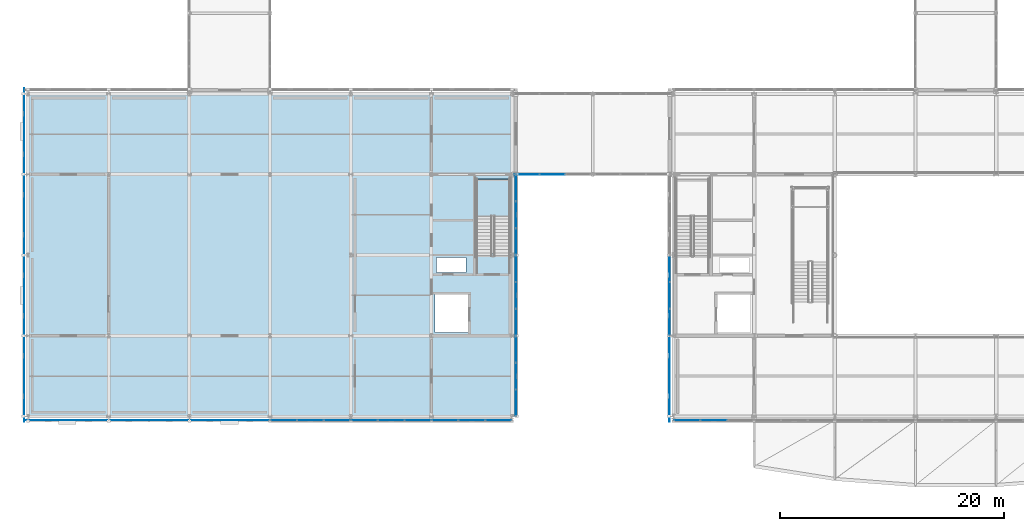
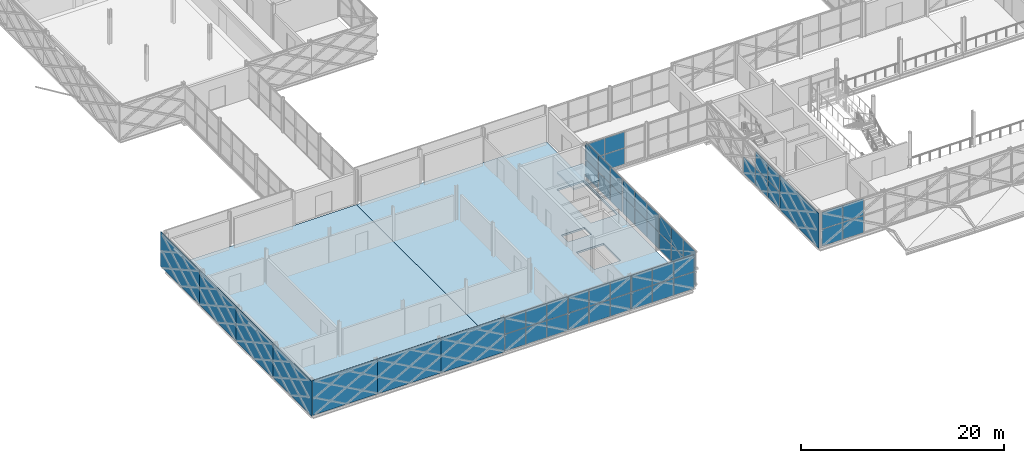
# One storey, part 86 of 146: 57 plates, 3 slabs, 10 elements without a shape of their own.
"""IFC4 building model written with IfcOpenShell, lengths in metres."""

from ifc_helpers import new_model, si_unit, direction, frame, origin, origin_2d, place, context, subcontext, project, spatial, polyline, rectangle, outline, extrude, material, layer, layer_set, type_object, element, aggregate, save


model = new_model("IFC4")

# Units and contexts
model_context = context("Model", 3, precision=1e-05, world=origin(), true_north=direction((0.0, 1.0)))
body_context = subcontext(model_context, "Body", "Model", "MODEL_VIEW")
ifc_project = project(units=[si_unit("LENGTHUNIT", "METRE"), si_unit("AREAUNIT", "SQUARE_METRE"), si_unit("VOLUMEUNIT", "CUBIC_METRE"), si_unit("PLANEANGLEUNIT", "RADIAN"), si_unit("MASSUNIT", "GRAM", prefix="KILO")], contexts=[model_context])

# Site, building, storey
site_placement = place(None, origin())
site = spatial("IfcSite", under=ifc_project, at=site_placement, CompositionType="ELEMENT")
building_placement = place(site_placement, origin())
building = spatial("IfcBuilding", under=site, at=building_placement, Name="Zlatovets Crest Museum", CompositionType="ELEMENT")
storey_placement = place(building_placement, frame((0.0, 0.0, 4.5)))
storey = spatial("IfcBuildingStorey", under=building, at=storey_placement, Name="L01", CompositionType="ELEMENT", Elevation=4.5)

# Curtain wall, plates
ifc_material_1 = material(Name="Bronze-anodised aluminium and low-E triple glass", Category="aluminium")
curtain_wall_type_1 = type_object("IfcCurtainWallType", Name="CW_CW-BR1-L01-S69", PredefinedType="NOTDEFINED", material=ifc_material_1)
curtain_wall_1_placement = place(storey_placement, origin())
curtain_wall_1 = element("IfcCurtainWall", 1, at=curtain_wall_1_placement, inside=storey, type_object=curtain_wall_type_1, Name="South Forecourt Glazed Link Bridge L01 Glazed Bridge Curtain Wall", PredefinedType="NOTDEFINED")
ifc_material_2 = material(Name="Solar-control low-E laminated triple glass", Category="glass")
ifc_layer_1 = layer(ifc_material_2, 0.030029296875)
ifc_layer_set_1 = layer_set([ifc_layer_1], Name="Solar-control low-E laminated triple glass")
plate_type_1 = type_object("IfcPlateType", Name="CWPanel_CW-BR1-L01-S69", PredefinedType="CURTAIN_PANEL", material=ifc_layer_set_1)
plate_1_placement = place(storey_placement, frame((44.514892578125, 21.60009765625, 0.06005859375), z_axis=(0.0, 0.0, 1.0), x_axis=(1.0, 0.0, 0.0)))
plate_1 = element("IfcPlate", 2, at=plate_1_placement, type_object=plate_type_1, Name="CW-BR1-L01-S69 panel 1.1", PredefinedType="CURTAIN_PANEL", context=body_context, shape_type="SweptSolid", body=[
    extrude(rectangle(XDim=2.2099609375, YDim=0.030029296875, at=origin_2d()), origin(), (0.0, 0.0, 1.0), 1.89990234375),
])
plate_2_placement = place(storey_placement, frame((44.514892578125, 21.60009765625, 2.02001953125), z_axis=(0.0, 0.0, 1.0), x_axis=(1.0, 0.0, 0.0)))
plate_2 = element("IfcPlate", 3, at=plate_2_placement, type_object=plate_type_1, Name="CW-BR1-L01-S69 panel 1.2", PredefinedType="CURTAIN_PANEL", context=body_context, shape_type="SweptSolid", body=[
    extrude(rectangle(XDim=2.2099609375, YDim=0.030029296875, at=origin_2d()), origin(), (0.0, 0.0, 1.0), 1.89990234375),
])
plate_3_placement = place(storey_placement, frame((46.800048828125, 21.60009765625, 0.06005859375), z_axis=(0.0, 0.0, 1.0), x_axis=(1.0, 0.0, 0.0)))
plate_3 = element("IfcPlate", 4, at=plate_3_placement, type_object=plate_type_1, Name="CW-BR1-L01-S69 panel 2.1", PredefinedType="CURTAIN_PANEL", context=body_context, shape_type="SweptSolid", body=[
    extrude(rectangle(XDim=2.239990234375, YDim=0.030029296875, at=origin_2d()), origin(), (0.0, 0.0, 1.0), 1.89990234375),
])
plate_4_placement = place(storey_placement, frame((46.800048828125, 21.60009765625, 2.02001953125), z_axis=(0.0, 0.0, 1.0), x_axis=(1.0, 0.0, 0.0)))
plate_4 = element("IfcPlate", 5, at=plate_4_placement, type_object=plate_type_1, Name="CW-BR1-L01-S69 panel 2.2", PredefinedType="CURTAIN_PANEL", context=body_context, shape_type="SweptSolid", body=[
    extrude(rectangle(XDim=2.239990234375, YDim=0.030029296875, at=origin_2d()), origin(), (0.0, 0.0, 1.0), 1.89990234375),
])
aggregate(curtain_wall_1, [plate_1, plate_2, plate_3, plate_4])

curtain_wall_type_2 = type_object("IfcCurtainWallType", Name="CW_CW-V2-L01-M0", PredefinedType="NOTDEFINED", material=ifc_material_1)
curtain_wall_2_placement = place(storey_placement, origin())
curtain_wall_2 = element("IfcCurtainWall", 6, at=curtain_wall_2_placement, inside=storey, type_object=curtain_wall_type_2, Name="V2 L01 Secession Foyer Clear Curtain Wall", PredefinedType="NOTDEFINED")
ifc_layer_2 = layer(ifc_material_2, 0.028076171875)
ifc_layer_set_2 = layer_set([ifc_layer_2], Name="Solar-control low-E laminated triple glass")
plate_type_2 = type_object("IfcPlateType", Name="CWPanel_CW-V2-L01-M0", PredefinedType="CURTAIN_PANEL", material=ifc_layer_set_2)
plate_5_placement = place(storey_placement, frame((58.81494140625, -0.340087890625, 0.06005859375), z_axis=(0.0, 0.0, 1.0), x_axis=(1.0, 0.0, 0.0)))
plate_5 = element("IfcPlate", 7, at=plate_5_placement, type_object=plate_type_2, Name="CW-V2-L01-M0 panel 1.1", PredefinedType="CURTAIN_PANEL", context=body_context, shape_type="SweptSolid", body=[
    extrude(rectangle(XDim=2.31005859375, YDim=0.028076171875, at=origin_2d()), origin(), (0.0, 0.0, 1.0), 2.010009765625),
])
plate_6_placement = place(storey_placement, frame((58.81494140625, -0.340087890625, 2.1298828125), z_axis=(0.0, 0.0, 1.0), x_axis=(1.0, 0.0, 0.0)))
plate_6 = element("IfcPlate", 8, at=plate_6_placement, type_object=plate_type_2, Name="CW-V2-L01-M0 panel 1.2", PredefinedType="CURTAIN_PANEL", context=body_context, shape_type="SweptSolid", body=[
    extrude(rectangle(XDim=2.31005859375, YDim=0.028076171875, at=origin_2d()), origin(), (0.0, 0.0, 1.0), 2.010009765625),
])
plate_7_placement = place(storey_placement, frame((61.199951171875, -0.340087890625, 0.06005859375), z_axis=(0.0, 0.0, 1.0), x_axis=(1.0, 0.0, 0.0)))
plate_7 = element("IfcPlate", 9, at=plate_7_placement, type_object=plate_type_2, Name="CW-V2-L01-M0 panel 2.1", PredefinedType="CURTAIN_PANEL", context=body_context, shape_type="SweptSolid", body=[
    extrude(rectangle(XDim=2.340087890625, YDim=0.028076171875, at=origin_2d()), origin(), (0.0, 0.0, 1.0), 2.010009765625),
])
plate_8_placement = place(storey_placement, frame((61.199951171875, -0.340087890625, 2.1298828125), z_axis=(0.0, 0.0, 1.0), x_axis=(1.0, 0.0, 0.0)))
plate_8 = element("IfcPlate", 10, at=plate_8_placement, type_object=plate_type_2, Name="CW-V2-L01-M0 panel 2.2", PredefinedType="CURTAIN_PANEL", context=body_context, shape_type="SweptSolid", body=[
    extrude(rectangle(XDim=2.340087890625, YDim=0.028076171875, at=origin_2d()), origin(), (0.0, 0.0, 1.0), 2.010009765625),
])
aggregate(curtain_wall_2, [plate_5, plate_6, plate_7, plate_8])

curtain_wall_3_placement = place(storey_placement, origin())
curtain_wall_3 = element("IfcCurtainWall", 11, at=curtain_wall_3_placement, inside=storey, type_object=curtain_wall_type_2, Name="V2 L01 Expressed Core Glazed Facade", PredefinedType="NOTDEFINED")
plate_9_placement = place(storey_placement, frame((57.260009765625, 13.18505859375, 0.06005859375), z_axis=(0.0, 0.0, 1.0), x_axis=(0.0, -1.0, 0.0)))
plate_9 = element("IfcPlate", 12, at=plate_9_placement, type_object=plate_type_2, Name="CW-V2-L01-M0 panel 1.1", PredefinedType="CURTAIN_PANEL", context=body_context, shape_type="SweptSolid", body=[
    extrude(rectangle(XDim=2.31005859375, YDim=0.030029296875, at=origin_2d()), origin(), (0.0, 0.0, 1.0), 2.010009765625),
])
plate_10_placement = place(storey_placement, frame((57.260009765625, 10.800048828125, 0.06005859375), z_axis=(0.0, 0.0, 1.0), x_axis=(0.0, -1.0, 0.0)))
plate_10 = element("IfcPlate", 13, at=plate_10_placement, type_object=plate_type_2, Name="CW-V2-L01-M0 panel 2.1", PredefinedType="CURTAIN_PANEL", context=body_context, shape_type="SweptSolid", body=[
    extrude(rectangle(XDim=2.340087890625, YDim=0.030029296875, at=origin_2d()), origin(), (0.0, 0.0, 1.0), 2.010009765625),
])
plate_11_placement = place(storey_placement, frame((57.260009765625, 10.800048828125, 2.1298828125), z_axis=(0.0, 0.0, 1.0), x_axis=(0.0, -1.0, 0.0)))
plate_11 = element("IfcPlate", 14, at=plate_11_placement, type_object=plate_type_2, Name="CW-V2-L01-M0 panel 2.2", PredefinedType="CURTAIN_PANEL", context=body_context, shape_type="SweptSolid", body=[
    extrude(rectangle(XDim=2.340087890625, YDim=0.030029296875, at=origin_2d()), origin(), (0.0, 0.0, 1.0), 2.010009765625),
])
plate_12_placement = place(storey_placement, frame((57.260009765625, 8.4150390625, 0.06005859375), z_axis=(0.0, 0.0, 1.0), x_axis=(0.0, -1.0, 0.0)))
plate_12 = element("IfcPlate", 15, at=plate_12_placement, type_object=plate_type_2, Name="CW-V2-L01-M0 panel 3.1", PredefinedType="CURTAIN_PANEL", context=body_context, shape_type="SweptSolid", body=[
    extrude(rectangle(XDim=2.31005859375, YDim=0.030029296875, at=origin_2d()), origin(), (0.0, 0.0, 1.0), 2.010009765625),
])
plate_13_placement = place(storey_placement, frame((57.260009765625, 8.4150390625, 2.1298828125), z_axis=(0.0, 0.0, 1.0), x_axis=(0.0, -1.0, 0.0)))
plate_13 = element("IfcPlate", 16, at=plate_13_placement, type_object=plate_type_2, Name="CW-V2-L01-M0 panel 3.2", PredefinedType="CURTAIN_PANEL", context=body_context, shape_type="SweptSolid", body=[
    extrude(rectangle(XDim=2.31005859375, YDim=0.030029296875, at=origin_2d()), origin(), (0.0, 0.0, 1.0), 2.010009765625),
])
aggregate(curtain_wall_3, [plate_9, plate_10, plate_11, plate_12, plate_13])

curtain_wall_type_3 = type_object("IfcCurtainWallType", Name="CW_CW-V3-L01-M0", PredefinedType="NOTDEFINED", material=ifc_material_1)
curtain_wall_4_placement = place(storey_placement, origin())
curtain_wall_4 = element("IfcCurtainWall", 17, at=curtain_wall_4_placement, inside=storey, type_object=curtain_wall_type_3, Name="V3 L01 Secession Foyer Clear Curtain Wall", PredefinedType="NOTDEFINED")
ifc_layer_3 = layer(ifc_material_2, 0.028076171875)
ifc_layer_set_3 = layer_set([ifc_layer_3], Name="Solar-control low-E laminated triple glass")
plate_type_3 = type_object("IfcPlateType", Name="CWPanel_CW-V3-L01-M0", PredefinedType="CURTAIN_PANEL", material=ifc_layer_set_3)
plate_14_placement = place(storey_placement, frame((30.014892578125, -0.340087890625, 0.06005859375), z_axis=(0.0, 0.0, 1.0), x_axis=(1.0, 0.0, 0.0)))
plate_14 = element("IfcPlate", 18, at=plate_14_placement, type_object=plate_type_3, Name="CW-V3-L01-M0 panel 1.1", PredefinedType="CURTAIN_PANEL", context=body_context, shape_type="SweptSolid", body=[
    extrude(rectangle(XDim=2.31005859375, YDim=0.028076171875, at=origin_2d()), origin(), (0.0, 0.0, 1.0), 2.010009765625),
])
plate_15_placement = place(storey_placement, frame((30.014892578125, -0.340087890625, 2.1298828125), z_axis=(0.0, 0.0, 1.0), x_axis=(1.0, 0.0, 0.0)))
plate_15 = element("IfcPlate", 19, at=plate_15_placement, type_object=plate_type_3, Name="CW-V3-L01-M0 panel 1.2", PredefinedType="CURTAIN_PANEL", context=body_context, shape_type="SweptSolid", body=[
    extrude(rectangle(XDim=2.31005859375, YDim=0.028076171875, at=origin_2d()), origin(), (0.0, 0.0, 1.0), 2.010009765625),
])
plate_16_placement = place(storey_placement, frame((32.39990234375, -0.340087890625, 0.06005859375), z_axis=(0.0, 0.0, 1.0), x_axis=(1.0, 0.0, 0.0)))
plate_16 = element("IfcPlate", 20, at=plate_16_placement, type_object=plate_type_3, Name="CW-V3-L01-M0 panel 2.1", PredefinedType="CURTAIN_PANEL", context=body_context, shape_type="SweptSolid", body=[
    extrude(rectangle(XDim=2.340087890625, YDim=0.028076171875, at=origin_2d()), origin(), (0.0, 0.0, 1.0), 2.010009765625),
])
plate_17_placement = place(storey_placement, frame((32.39990234375, -0.340087890625, 2.1298828125), z_axis=(0.0, 0.0, 1.0), x_axis=(1.0, 0.0, 0.0)))
plate_17 = element("IfcPlate", 21, at=plate_17_placement, type_object=plate_type_3, Name="CW-V3-L01-M0 panel 2.2", PredefinedType="CURTAIN_PANEL", context=body_context, shape_type="SweptSolid", body=[
    extrude(rectangle(XDim=2.340087890625, YDim=0.028076171875, at=origin_2d()), origin(), (0.0, 0.0, 1.0), 2.010009765625),
])
plate_18_placement = place(storey_placement, frame((34.784912109375, -0.340087890625, 0.06005859375), z_axis=(0.0, 0.0, 1.0), x_axis=(1.0, 0.0, 0.0)))
plate_18 = element("IfcPlate", 22, at=plate_18_placement, type_object=plate_type_3, Name="CW-V3-L01-M0 panel 3.1", PredefinedType="CURTAIN_PANEL", context=body_context, shape_type="SweptSolid", body=[
    extrude(rectangle(XDim=2.31005859375, YDim=0.028076171875, at=origin_2d()), origin(), (0.0, 0.0, 1.0), 2.010009765625),
])
plate_19_placement = place(storey_placement, frame((34.784912109375, -0.340087890625, 2.1298828125), z_axis=(0.0, 0.0, 1.0), x_axis=(1.0, 0.0, 0.0)))
plate_19 = element("IfcPlate", 23, at=plate_19_placement, type_object=plate_type_3, Name="CW-V3-L01-M0 panel 3.2", PredefinedType="CURTAIN_PANEL", context=body_context, shape_type="SweptSolid", body=[
    extrude(rectangle(XDim=2.31005859375, YDim=0.028076171875, at=origin_2d()), origin(), (0.0, 0.0, 1.0), 2.010009765625),
])
aggregate(curtain_wall_4, [plate_14, plate_15, plate_16, plate_17, plate_18, plate_19])

curtain_wall_5_placement = place(storey_placement, origin())
curtain_wall_5 = element("IfcCurtainWall", 24, at=curtain_wall_5_placement, inside=storey, type_object=curtain_wall_type_3, Name="V3 L01 Expressed Core Glazed Facade", PredefinedType="NOTDEFINED")
plate_20_placement = place(storey_placement, frame((43.5400390625, 15.614990234375, 0.06005859375), z_axis=(0.0, 0.0, 1.0), x_axis=(0.0, 1.0, 0.0)))
plate_20 = element("IfcPlate", 25, at=plate_20_placement, type_object=plate_type_3, Name="CW-V3-L01-M0 panel 1.1", PredefinedType="CURTAIN_PANEL", context=body_context, shape_type="SweptSolid", body=[
    extrude(rectangle(XDim=2.31005859375, YDim=0.030029296875, at=origin_2d()), origin(), (0.0, 0.0, 1.0), 2.010009765625),
])
plate_21_placement = place(storey_placement, frame((43.5400390625, 15.614990234375, 2.1298828125), z_axis=(0.0, 0.0, 1.0), x_axis=(0.0, 1.0, 0.0)))
plate_21 = element("IfcPlate", 26, at=plate_21_placement, type_object=plate_type_3, Name="CW-V3-L01-M0 panel 1.2", PredefinedType="CURTAIN_PANEL", context=body_context, shape_type="SweptSolid", body=[
    extrude(rectangle(XDim=2.31005859375, YDim=0.030029296875, at=origin_2d()), origin(), (0.0, 0.0, 1.0), 2.010009765625),
])
plate_22_placement = place(storey_placement, frame((43.5400390625, 18.0, 0.06005859375), z_axis=(0.0, 0.0, 1.0), x_axis=(0.0, 1.0, 0.0)))
plate_22 = element("IfcPlate", 27, at=plate_22_placement, type_object=plate_type_3, Name="CW-V3-L01-M0 panel 2.1", PredefinedType="CURTAIN_PANEL", context=body_context, shape_type="SweptSolid", body=[
    extrude(rectangle(XDim=2.340087890625, YDim=0.030029296875, at=origin_2d()), origin(), (0.0, 0.0, 1.0), 2.010009765625),
])
plate_23_placement = place(storey_placement, frame((43.5400390625, 18.0, 2.1298828125), z_axis=(0.0, 0.0, 1.0), x_axis=(0.0, 1.0, 0.0)))
plate_23 = element("IfcPlate", 28, at=plate_23_placement, type_object=plate_type_3, Name="CW-V3-L01-M0 panel 2.2", PredefinedType="CURTAIN_PANEL", context=body_context, shape_type="SweptSolid", body=[
    extrude(rectangle(XDim=2.340087890625, YDim=0.030029296875, at=origin_2d()), origin(), (0.0, 0.0, 1.0), 2.010009765625),
])
plate_24_placement = place(storey_placement, frame((43.5400390625, 20.385009765625, 0.06005859375), z_axis=(0.0, 0.0, 1.0), x_axis=(0.0, 1.0, 0.0)))
plate_24 = element("IfcPlate", 29, at=plate_24_placement, type_object=plate_type_3, Name="CW-V3-L01-M0 panel 3.1", PredefinedType="CURTAIN_PANEL", context=body_context, shape_type="SweptSolid", body=[
    extrude(rectangle(XDim=2.31005859375, YDim=0.030029296875, at=origin_2d()), origin(), (0.0, 0.0, 1.0), 2.010009765625),
])
plate_25_placement = place(storey_placement, frame((43.5400390625, 20.385009765625, 2.1298828125), z_axis=(0.0, 0.0, 1.0), x_axis=(0.0, 1.0, 0.0)))
plate_25 = element("IfcPlate", 30, at=plate_25_placement, type_object=plate_type_3, Name="CW-V3-L01-M0 panel 3.2", PredefinedType="CURTAIN_PANEL", context=body_context, shape_type="SweptSolid", body=[
    extrude(rectangle(XDim=2.31005859375, YDim=0.030029296875, at=origin_2d()), origin(), (0.0, 0.0, 1.0), 2.010009765625),
])
aggregate(curtain_wall_5, [plate_20, plate_21, plate_22, plate_23, plate_24, plate_25])

curtain_wall_type_4 = type_object("IfcCurtainWallType", Name="CW_CW-V3-L01-M1", PredefinedType="NOTDEFINED", material=ifc_material_1)
curtain_wall_6_placement = place(storey_placement, origin())
curtain_wall_6 = element("IfcCurtainWall", 31, at=curtain_wall_6_placement, inside=storey, type_object=curtain_wall_type_4, Name="V3 L01 Secession Foyer Clear Curtain Wall", PredefinedType="NOTDEFINED")
ifc_layer_4 = layer(ifc_material_2, 0.031982421875)
ifc_layer_set_4 = layer_set([ifc_layer_4], Name="Solar-control low-E laminated triple glass")
plate_type_4 = type_object("IfcPlateType", Name="CWPanel_CW-V3-L01-M1", PredefinedType="CURTAIN_PANEL", material=ifc_layer_set_4)
plate_26_placement = place(storey_placement, frame((37.215087890625, -0.340087890625, 0.06005859375), z_axis=(0.0, 0.0, 1.0), x_axis=(1.0, 0.0, 0.0)))
plate_26 = element("IfcPlate", 32, at=plate_26_placement, type_object=plate_type_4, Name="CW-V3-L01-M1 panel 1.1", PredefinedType="CURTAIN_PANEL", context=body_context, shape_type="SweptSolid", body=[
    extrude(rectangle(XDim=2.31005859375, YDim=0.031982421875, at=origin_2d()), origin(), (0.0, 0.0, 1.0), 2.010009765625),
])
plate_27_placement = place(storey_placement, frame((37.215087890625, -0.340087890625, 2.1298828125), z_axis=(0.0, 0.0, 1.0), x_axis=(1.0, 0.0, 0.0)))
plate_27 = element("IfcPlate", 33, at=plate_27_placement, type_object=plate_type_4, Name="CW-V3-L01-M1 panel 1.2", PredefinedType="CURTAIN_PANEL", context=body_context, shape_type="SweptSolid", body=[
    extrude(rectangle(XDim=2.31005859375, YDim=0.031982421875, at=origin_2d()), origin(), (0.0, 0.0, 1.0), 2.010009765625),
])
plate_28_placement = place(storey_placement, frame((39.60009765625, -0.340087890625, 0.06005859375), z_axis=(0.0, 0.0, 1.0), x_axis=(1.0, 0.0, 0.0)))
plate_28 = element("IfcPlate", 34, at=plate_28_placement, type_object=plate_type_4, Name="CW-V3-L01-M1 panel 2.1", PredefinedType="CURTAIN_PANEL", context=body_context, shape_type="SweptSolid", body=[
    extrude(rectangle(XDim=2.340087890625, YDim=0.031982421875, at=origin_2d()), origin(), (0.0, 0.0, 1.0), 2.010009765625),
])
plate_29_placement = place(storey_placement, frame((39.60009765625, -0.340087890625, 2.1298828125), z_axis=(0.0, 0.0, 1.0), x_axis=(1.0, 0.0, 0.0)))
plate_29 = element("IfcPlate", 35, at=plate_29_placement, type_object=plate_type_4, Name="CW-V3-L01-M1 panel 2.2", PredefinedType="CURTAIN_PANEL", context=body_context, shape_type="SweptSolid", body=[
    extrude(rectangle(XDim=2.340087890625, YDim=0.031982421875, at=origin_2d()), origin(), (0.0, 0.0, 1.0), 2.010009765625),
])
plate_30_placement = place(storey_placement, frame((41.985107421875, -0.340087890625, 0.06005859375), z_axis=(0.0, 0.0, 1.0), x_axis=(1.0, 0.0, 0.0)))
plate_30 = element("IfcPlate", 36, at=plate_30_placement, type_object=plate_type_4, Name="CW-V3-L01-M1 panel 3.1", PredefinedType="CURTAIN_PANEL", context=body_context, shape_type="SweptSolid", body=[
    extrude(rectangle(XDim=2.31005859375, YDim=0.031982421875, at=origin_2d()), origin(), (0.0, 0.0, 1.0), 2.010009765625),
])
plate_31_placement = place(storey_placement, frame((41.985107421875, -0.340087890625, 2.1298828125), z_axis=(0.0, 0.0, 1.0), x_axis=(1.0, 0.0, 0.0)))
plate_31 = element("IfcPlate", 37, at=plate_31_placement, type_object=plate_type_4, Name="CW-V3-L01-M1 panel 3.2", PredefinedType="CURTAIN_PANEL", context=body_context, shape_type="SweptSolid", body=[
    extrude(rectangle(XDim=2.31005859375, YDim=0.031982421875, at=origin_2d()), origin(), (0.0, 0.0, 1.0), 2.010009765625),
])
aggregate(curtain_wall_6, [plate_26, plate_27, plate_28, plate_29, plate_30, plate_31])

curtain_wall_type_5 = type_object("IfcCurtainWallType", Name="CW_CW-V3-L01-M2", PredefinedType="NOTDEFINED", material=ifc_material_1)
curtain_wall_7_placement = place(storey_placement, origin())
curtain_wall_7 = element("IfcCurtainWall", 38, at=curtain_wall_7_placement, inside=storey, type_object=curtain_wall_type_5, Name="V3 L01 Secession Foyer Clear Curtain Wall", PredefinedType="NOTDEFINED")
ifc_layer_5 = layer(ifc_material_2, 0.035888671875)
ifc_layer_set_5 = layer_set([ifc_layer_5], Name="Solar-control low-E laminated triple glass")
plate_type_5 = type_object("IfcPlateType", Name="CWPanel_CW-V3-L01-M2", PredefinedType="CURTAIN_PANEL", material=ifc_layer_set_5)
plate_32_placement = place(storey_placement, frame((43.5400390625, 1.215087890625, 0.06005859375), z_axis=(0.0, 0.0, 1.0), x_axis=(0.0, 1.0, 0.0)))
plate_32 = element("IfcPlate", 39, at=plate_32_placement, type_object=plate_type_5, Name="CW-V3-L01-M2 panel 1.1", PredefinedType="CURTAIN_PANEL", context=body_context, shape_type="SweptSolid", body=[
    extrude(rectangle(XDim=2.31005859375, YDim=0.035888671875, at=origin_2d()), origin(), (0.0, 0.0, 1.0), 2.010009765625),
])
plate_33_placement = place(storey_placement, frame((43.5400390625, 1.215087890625, 2.1298828125), z_axis=(0.0, 0.0, 1.0), x_axis=(0.0, 1.0, 0.0)))
plate_33 = element("IfcPlate", 40, at=plate_33_placement, type_object=plate_type_5, Name="CW-V3-L01-M2 panel 1.2", PredefinedType="CURTAIN_PANEL", context=body_context, shape_type="SweptSolid", body=[
    extrude(rectangle(XDim=2.31005859375, YDim=0.035888671875, at=origin_2d()), origin(), (0.0, 0.0, 1.0), 2.010009765625),
])
plate_34_placement = place(storey_placement, frame((43.5400390625, 3.60009765625, 0.06005859375), z_axis=(0.0, 0.0, 1.0), x_axis=(0.0, 1.0, 0.0)))
plate_34 = element("IfcPlate", 41, at=plate_34_placement, type_object=plate_type_5, Name="CW-V3-L01-M2 panel 2.1", PredefinedType="CURTAIN_PANEL", context=body_context, shape_type="SweptSolid", body=[
    extrude(rectangle(XDim=2.340087890625, YDim=0.035888671875, at=origin_2d()), origin(), (0.0, 0.0, 1.0), 2.010009765625),
])
plate_35_placement = place(storey_placement, frame((43.5400390625, 3.60009765625, 2.1298828125), z_axis=(0.0, 0.0, 1.0), x_axis=(0.0, 1.0, 0.0)))
plate_35 = element("IfcPlate", 42, at=plate_35_placement, type_object=plate_type_5, Name="CW-V3-L01-M2 panel 2.2", PredefinedType="CURTAIN_PANEL", context=body_context, shape_type="SweptSolid", body=[
    extrude(rectangle(XDim=2.340087890625, YDim=0.035888671875, at=origin_2d()), origin(), (0.0, 0.0, 1.0), 2.010009765625),
])
plate_36_placement = place(storey_placement, frame((43.5400390625, 5.985107421875, 0.06005859375), z_axis=(0.0, 0.0, 1.0), x_axis=(0.0, 1.0, 0.0)))
plate_36 = element("IfcPlate", 43, at=plate_36_placement, type_object=plate_type_5, Name="CW-V3-L01-M2 panel 3.1", PredefinedType="CURTAIN_PANEL", context=body_context, shape_type="SweptSolid", body=[
    extrude(rectangle(XDim=2.31005859375, YDim=0.035888671875, at=origin_2d()), origin(), (0.0, 0.0, 1.0), 2.010009765625),
])
plate_37_placement = place(storey_placement, frame((43.5400390625, 5.985107421875, 2.1298828125), z_axis=(0.0, 0.0, 1.0), x_axis=(0.0, 1.0, 0.0)))
plate_37 = element("IfcPlate", 44, at=plate_37_placement, type_object=plate_type_5, Name="CW-V3-L01-M2 panel 3.2", PredefinedType="CURTAIN_PANEL", context=body_context, shape_type="SweptSolid", body=[
    extrude(rectangle(XDim=2.31005859375, YDim=0.035888671875, at=origin_2d()), origin(), (0.0, 0.0, 1.0), 2.010009765625),
])
aggregate(curtain_wall_7, [plate_32, plate_33, plate_34, plate_35, plate_36, plate_37])

curtain_wall_type_6 = type_object("IfcCurtainWallType", Name="CW_CW-V3-L01-M3", PredefinedType="NOTDEFINED", material=ifc_material_1)
curtain_wall_8_placement = place(storey_placement, origin())
curtain_wall_8 = element("IfcCurtainWall", 45, at=curtain_wall_8_placement, inside=storey, type_object=curtain_wall_type_6, Name="V3 L01 Secession Foyer Clear Curtain Wall", PredefinedType="NOTDEFINED")
ifc_layer_6 = layer(ifc_material_2, 0.0400390625)
ifc_layer_set_6 = layer_set([ifc_layer_6], Name="Solar-control low-E laminated triple glass")
plate_type_6 = type_object("IfcPlateType", Name="CWPanel_CW-V3-L01-M3", PredefinedType="CURTAIN_PANEL", material=ifc_layer_set_6)
plate_38_placement = place(storey_placement, frame((22.81494140625, -0.340087890625, 0.06005859375), z_axis=(0.0, 0.0, 1.0), x_axis=(1.0, 0.0, 0.0)))
plate_38 = element("IfcPlate", 46, at=plate_38_placement, type_object=plate_type_6, Name="CW-V3-L01-M3 panel 1.1", PredefinedType="CURTAIN_PANEL", context=body_context, shape_type="SweptSolid", body=[
    extrude(rectangle(XDim=2.31005859375, YDim=0.0400390625, at=origin_2d()), origin(), (0.0, 0.0, 1.0), 2.010009765625),
])
plate_39_placement = place(storey_placement, frame((22.81494140625, -0.340087890625, 2.1298828125), z_axis=(0.0, 0.0, 1.0), x_axis=(1.0, 0.0, 0.0)))
plate_39 = element("IfcPlate", 47, at=plate_39_placement, type_object=plate_type_6, Name="CW-V3-L01-M3 panel 1.2", PredefinedType="CURTAIN_PANEL", context=body_context, shape_type="SweptSolid", body=[
    extrude(rectangle(XDim=2.31005859375, YDim=0.0400390625, at=origin_2d()), origin(), (0.0, 0.0, 1.0), 2.010009765625),
])
plate_40_placement = place(storey_placement, frame((25.199951171875, -0.340087890625, 0.06005859375), z_axis=(0.0, 0.0, 1.0), x_axis=(1.0, 0.0, 0.0)))
plate_40 = element("IfcPlate", 48, at=plate_40_placement, type_object=plate_type_6, Name="CW-V3-L01-M3 panel 2.1", PredefinedType="CURTAIN_PANEL", context=body_context, shape_type="SweptSolid", body=[
    extrude(rectangle(XDim=2.340087890625, YDim=0.0400390625, at=origin_2d()), origin(), (0.0, 0.0, 1.0), 2.010009765625),
])
plate_41_placement = place(storey_placement, frame((25.199951171875, -0.340087890625, 2.1298828125), z_axis=(0.0, 0.0, 1.0), x_axis=(1.0, 0.0, 0.0)))
plate_41 = element("IfcPlate", 49, at=plate_41_placement, type_object=plate_type_6, Name="CW-V3-L01-M3 panel 2.2", PredefinedType="CURTAIN_PANEL", context=body_context, shape_type="SweptSolid", body=[
    extrude(rectangle(XDim=2.340087890625, YDim=0.0400390625, at=origin_2d()), origin(), (0.0, 0.0, 1.0), 2.010009765625),
])
plate_42_placement = place(storey_placement, frame((27.5849609375, -0.340087890625, 0.06005859375), z_axis=(0.0, 0.0, 1.0), x_axis=(1.0, 0.0, 0.0)))
plate_42 = element("IfcPlate", 50, at=plate_42_placement, type_object=plate_type_6, Name="CW-V3-L01-M3 panel 3.1", PredefinedType="CURTAIN_PANEL", context=body_context, shape_type="SweptSolid", body=[
    extrude(rectangle(XDim=2.31005859375, YDim=0.0400390625, at=origin_2d()), origin(), (0.0, 0.0, 1.0), 2.010009765625),
])
plate_43_placement = place(storey_placement, frame((27.5849609375, -0.340087890625, 2.1298828125), z_axis=(0.0, 0.0, 1.0), x_axis=(1.0, 0.0, 0.0)))
plate_43 = element("IfcPlate", 51, at=plate_43_placement, type_object=plate_type_6, Name="CW-V3-L01-M3 panel 3.2", PredefinedType="CURTAIN_PANEL", context=body_context, shape_type="SweptSolid", body=[
    extrude(rectangle(XDim=2.31005859375, YDim=0.0400390625, at=origin_2d()), origin(), (0.0, 0.0, 1.0), 2.010009765625),
])
aggregate(curtain_wall_8, [plate_38, plate_39, plate_40, plate_41, plate_42, plate_43])

curtain_wall_9_placement = place(storey_placement, origin())
curtain_wall_9 = element("IfcCurtainWall", 52, at=curtain_wall_9_placement, inside=storey, type_object=curtain_wall_type_6, Name="V3 L01 Expressed Core Glazed Facade", PredefinedType="NOTDEFINED")
plate_44_placement = place(storey_placement, frame((43.5400390625, 8.4150390625, 0.06005859375), z_axis=(0.0, 0.0, 1.0), x_axis=(0.0, 1.0, 0.0)))
plate_44 = element("IfcPlate", 53, at=plate_44_placement, type_object=plate_type_6, Name="CW-V3-L01-M3 panel 1.1", PredefinedType="CURTAIN_PANEL", context=body_context, shape_type="SweptSolid", body=[
    extrude(rectangle(XDim=2.31005859375, YDim=0.030029296875, at=origin_2d()), origin(), (0.0, 0.0, 1.0), 2.010009765625),
])
plate_45_placement = place(storey_placement, frame((43.5400390625, 8.4150390625, 2.1298828125), z_axis=(0.0, 0.0, 1.0), x_axis=(0.0, 1.0, 0.0)))
plate_45 = element("IfcPlate", 54, at=plate_45_placement, type_object=plate_type_6, Name="CW-V3-L01-M3 panel 1.2", PredefinedType="CURTAIN_PANEL", context=body_context, shape_type="SweptSolid", body=[
    extrude(rectangle(XDim=2.31005859375, YDim=0.030029296875, at=origin_2d()), origin(), (0.0, 0.0, 1.0), 2.010009765625),
])
plate_46_placement = place(storey_placement, frame((43.5400390625, 10.800048828125, 0.06005859375), z_axis=(0.0, 0.0, 1.0), x_axis=(0.0, 1.0, 0.0)))
plate_46 = element("IfcPlate", 55, at=plate_46_placement, type_object=plate_type_6, Name="CW-V3-L01-M3 panel 2.1", PredefinedType="CURTAIN_PANEL", context=body_context, shape_type="SweptSolid", body=[
    extrude(rectangle(XDim=2.340087890625, YDim=0.030029296875, at=origin_2d()), origin(), (0.0, 0.0, 1.0), 2.010009765625),
])
plate_47_placement = place(storey_placement, frame((43.5400390625, 10.800048828125, 2.1298828125), z_axis=(0.0, 0.0, 1.0), x_axis=(0.0, 1.0, 0.0)))
plate_47 = element("IfcPlate", 56, at=plate_47_placement, type_object=plate_type_6, Name="CW-V3-L01-M3 panel 2.2", PredefinedType="CURTAIN_PANEL", context=body_context, shape_type="SweptSolid", body=[
    extrude(rectangle(XDim=2.340087890625, YDim=0.030029296875, at=origin_2d()), origin(), (0.0, 0.0, 1.0), 2.010009765625),
])
plate_48_placement = place(storey_placement, frame((43.5400390625, 13.18505859375, 0.06005859375), z_axis=(0.0, 0.0, 1.0), x_axis=(0.0, 1.0, 0.0)))
plate_48 = element("IfcPlate", 57, at=plate_48_placement, type_object=plate_type_6, Name="CW-V3-L01-M3 panel 3.1", PredefinedType="CURTAIN_PANEL", context=body_context, shape_type="SweptSolid", body=[
    extrude(rectangle(XDim=2.31005859375, YDim=0.030029296875, at=origin_2d()), origin(), (0.0, 0.0, 1.0), 2.010009765625),
])
plate_49_placement = place(storey_placement, frame((43.5400390625, 13.18505859375, 2.1298828125), z_axis=(0.0, 0.0, 1.0), x_axis=(0.0, 1.0, 0.0)))
plate_49 = element("IfcPlate", 58, at=plate_49_placement, type_object=plate_type_6, Name="CW-V3-L01-M3 panel 3.2", PredefinedType="CURTAIN_PANEL", context=body_context, shape_type="SweptSolid", body=[
    extrude(rectangle(XDim=2.31005859375, YDim=0.030029296875, at=origin_2d()), origin(), (0.0, 0.0, 1.0), 2.010009765625),
])
aggregate(curtain_wall_9, [plate_44, plate_45, plate_46, plate_47, plate_48, plate_49])

# Plates
ifc_material_3 = material(Name="Ceramic-fritted low-E laminated architectural glass", Category="glass")
ifc_layer_7 = layer(ifc_material_3, 0.031982421875)
ifc_layer_set_7 = layer_set([ifc_layer_7], Name="Ceramic-fritted low-E laminated architectural glass")
plate_type_7 = type_object("IfcPlateType", Name="GlazedSpandrel_GSP1", PredefinedType="USERDEFINED", material=ifc_layer_set_7)
plate_50_placement = place(storey_placement, frame((57.260009765625, 3.360107421875, 0.0), z_axis=(0.0, 0.0, 1.0), x_axis=(0.0, 1.0, 0.0)))
element("IfcPlate", 59, at=plate_50_placement, inside=storey, type_object=plate_type_7, Name="V2 L01 Ceramic-Fritted Gallery Glass Skin", ObjectType="GLAZED_SPANDREL", PredefinedType="USERDEFINED", context=body_context, shape_type="SweptSolid", body=[
    extrude(rectangle(XDim=7.679931640625, YDim=0.031982421875, at=origin_2d()), origin(), (0.0, 0.0, 1.0), 4.199951171875),
])
plate_51_placement = place(storey_placement, frame((3.5, -0.340087890625, 0.0), z_axis=(0.0, 0.0, 1.0), x_axis=(1.0, 0.0, 0.0)))
element("IfcPlate", 60, at=plate_51_placement, inside=storey, type_object=plate_type_7, Name="V3 L01 Ceramic-Fritted Gallery Glass Skin", ObjectType="GLAZED_SPANDREL", PredefinedType="USERDEFINED", context=body_context, shape_type="SweptSolid", body=[
    extrude(rectangle(XDim=7.39990234375, YDim=0.031982421875, at=origin_2d()), origin(), (0.0, 0.0, 1.0), 4.199951171875),
])
for number, where, z_axis, x_axis, name in (
    (61, (10.800048828125, -0.340087890625, 0.0), (0.0, 0.0, 1.0), (1.0, 0.0, 0.0), "V3 L01 Ceramic-Fritted Gallery Glass Skin"),
    (62, (18.0, -0.340087890625, 0.0), (0.0, 0.0, 1.0), (1.0, 0.0, 0.0), "V3 L01 Ceramic-Fritted Gallery Glass Skin"),
):
    element("IfcPlate", number, at=place(storey_placement, frame(where, z_axis=z_axis, x_axis=x_axis)), inside=storey, type_object=plate_type_7, Name=name, ObjectType="GLAZED_SPANDREL", PredefinedType="USERDEFINED", context=body_context, shape_type="SweptSolid", body=[
        extrude(rectangle(XDim=7.199951171875, YDim=0.031982421875, at=origin_2d()), origin(), (0.0, 0.0, 1.0), 4.199951171875),
    ])
plate_52_placement = place(storey_placement, frame((-0.340087890625, 25.43994140625, 0.0), z_axis=(0.0, 0.0, 1.0), x_axis=(0.0, 1.0, 0.0)))
element("IfcPlate", 63, at=plate_52_placement, inside=storey, type_object=plate_type_7, Name="V3 L01 Ceramic-Fritted Gallery Glass Skin", ObjectType="GLAZED_SPANDREL", PredefinedType="USERDEFINED", context=body_context, shape_type="SweptSolid", body=[
    extrude(rectangle(XDim=7.679931640625, YDim=0.031982421875, at=origin_2d()), origin(), (0.0, 0.0, 1.0), 4.199951171875),
])
for number, where, z_axis, x_axis, name in (
    (64, (-0.340087890625, 18.0, 0.0), (0.0, 0.0, 1.0), (0.0, 1.0, 0.0), "V3 L01 Ceramic-Fritted Gallery Glass Skin"),
    (65, (-0.340087890625, 10.800048828125, 0.0), (0.0, 0.0, 1.0), (0.0, 1.0, 0.0), "V3 L01 Ceramic-Fritted Gallery Glass Skin"),
):
    element("IfcPlate", number, at=place(storey_placement, frame(where, z_axis=z_axis, x_axis=x_axis)), inside=storey, type_object=plate_type_7, Name=name, ObjectType="GLAZED_SPANDREL", PredefinedType="USERDEFINED", context=body_context, shape_type="SweptSolid", body=[
        extrude(rectangle(XDim=7.199951171875, YDim=0.031982421875, at=origin_2d()), origin(), (0.0, 0.0, 1.0), 4.199951171875),
    ])
plate_53_placement = place(storey_placement, frame((-0.340087890625, 3.360107421875, 0.0), z_axis=(0.0, 0.0, 1.0), x_axis=(0.0, 1.0, 0.0)))
element("IfcPlate", 66, at=plate_53_placement, inside=storey, type_object=plate_type_7, Name="V3 L01 Ceramic-Fritted Gallery Glass Skin", ObjectType="GLAZED_SPANDREL", PredefinedType="USERDEFINED", context=body_context, shape_type="SweptSolid", body=[
    extrude(rectangle(XDim=7.679931640625, YDim=0.031982421875, at=origin_2d()), origin(), (0.0, 0.0, 1.0), 4.199951171875),
])

# Slabs
ifc_material_4 = material(Name="Concrete C30/37", Category="concrete")
ifc_layer_8 = layer(ifc_material_4, 0.219970703125)
ifc_layer_set_8 = layer_set([ifc_layer_8], Name="Concrete C30/37")
slab_type_1 = type_object("IfcSlabType", Name="Slab_FS-02", PredefinedType="FLOOR", material=ifc_layer_set_8)
slab_1_placement = place(storey_placement, frame((0.0, 0.0, -0.219970703125)))
element("IfcSlab", 67, at=slab_1_placement, inside=storey, type_object=slab_type_1, Name="V3 L01 Structural Slab Panel 1", PredefinedType="FLOOR", context=body_context, shape_type="SweptSolid", body=[
    extrude(outline(polyline([(21.60009765625, 0.0), (0.0, 0.0), (0.0, 28.800048828125), (21.60009765625, 28.800048828125), (21.60009765625, 0.0)])), origin(), (0.0, 0.0, 1.0), 0.219970703125),
])
slab_2_placement = place(storey_placement, frame((0.0, 0.0, -0.219970703125)))
element("IfcSlab", 68, at=slab_2_placement, inside=storey, type_object=slab_type_1, Name="V3 L01 Structural Slab Panel 2", PredefinedType="FLOOR", context=body_context, shape_type="SweptSolid", body=[
    extrude(outline(polyline([(21.60009765625, 28.800048828125), (43.199951171875, 28.800048828125), (43.199951171875, 0.0), (21.60009765625, 0.0), (21.60009765625, 28.800048828125)]), holes=[polyline([(40.0, 14.5400390625), (43.0, 14.5400390625), (43.0, 21.199951171875), (40.0, 21.199951171875), (40.0, 14.5400390625)]), polyline([(36.300048828125, 10.89990234375), (36.300048828125, 7.5), (39.35009765625, 7.5), (39.35009765625, 10.89990234375), (36.300048828125, 10.89990234375)]), polyline([(39.10009765625, 14.199951171875), (36.449951171875, 14.199951171875), (36.449951171875, 12.85009765625), (39.10009765625, 12.85009765625), (39.10009765625, 14.199951171875)])]), origin(), (0.0, 0.0, 1.0), 0.219970703125),
])

# Stair, slab
ifc_material_5 = material(Name="Concrete C35/45", Category="concrete")
stair_type = type_object("IfcStairType", Name="Stair_ST3-26R", PredefinedType="HALF_TURN_STAIR", material=ifc_material_5)
stair_placement = place(storey_placement, origin())
stair = element("IfcStair", 69, at=stair_placement, inside=storey, type_object=stair_type, Name="L01 Core C3 Escape Stair ST3", PredefinedType="HALF_TURN_STAIR")
ifc_layer_9 = layer(ifc_material_5, 0.199951171875)
ifc_layer_set_9 = layer_set([ifc_layer_9], Name="Concrete C35/45")
slab_type_2 = type_object("IfcSlabType", Name="StairLanding_SLD1", PredefinedType="LANDING", material=ifc_layer_set_9)
slab_3_placement = place(storey_placement, frame((0.0, 0.0, 1.89990234375)))
slab_3 = element("IfcSlab", 70, at=slab_3_placement, type_object=slab_type_2, Name="ST3 landing 1", PredefinedType="LANDING", context=body_context, shape_type="SweptSolid", body=[
    extrude(outline(polyline([(43.0, 17.89990234375), (43.0, 21.199951171875), (40.0, 21.199951171875), (40.0, 17.89990234375), (43.0, 17.89990234375)])), origin(), (0.0, 0.0, 1.0), 0.2001953125),
])
aggregate(stair, [slab_3])

save(model, "model.ifc")
